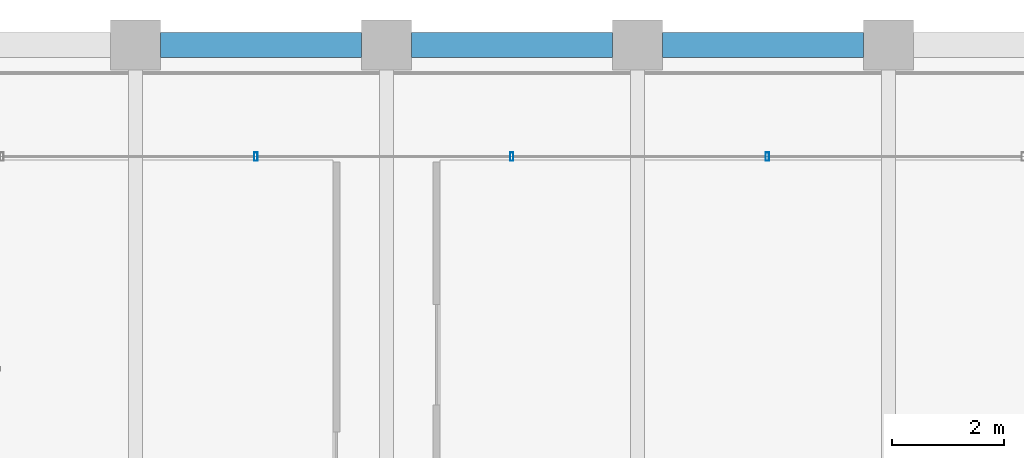
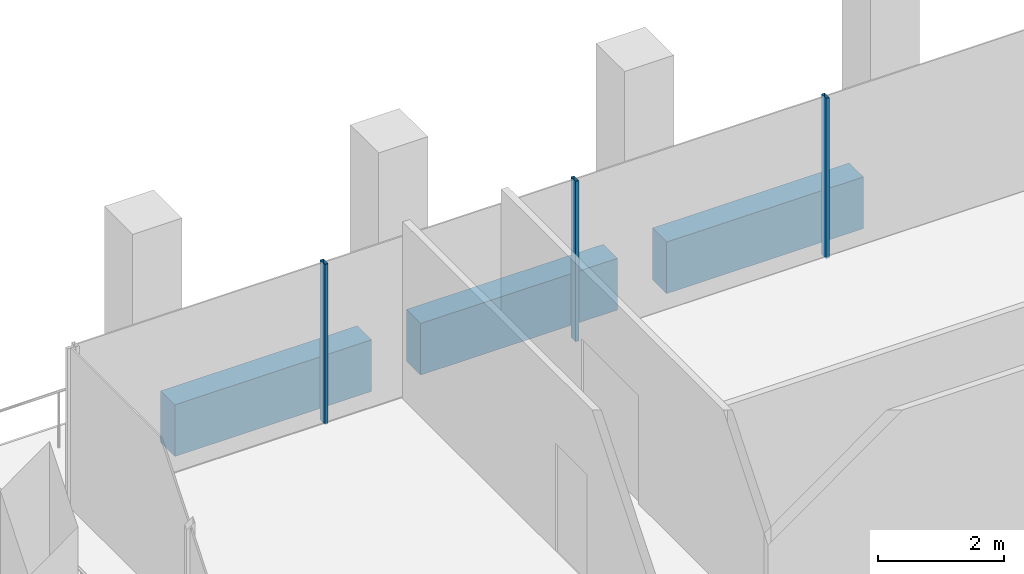
# One storey, part 23 of 40: 3 beams, 3 members, 1 element without a shape of its own.
"""IFC4 building model written with IfcOpenShell, lengths in metres."""

from ifc_helpers import new_model, si_unit, direction, frame, origin, origin_2d, place, context, subcontext, project, spatial, rectangle, hollow_rectangle, extrude, material, material_profile, profile_set, type_object, element, aggregate, save


model = new_model("IFC4")

# Units and contexts
model_context = context("Model", 3, precision=1e-05, world=origin(), true_north=direction((0.0, 1.0)))
body_context = subcontext(model_context, "Body", "Model", "MODEL_VIEW")
ifc_project = project(units=[si_unit("LENGTHUNIT", "METRE"), si_unit("AREAUNIT", "SQUARE_METRE"), si_unit("VOLUMEUNIT", "CUBIC_METRE"), si_unit("PLANEANGLEUNIT", "RADIAN"), si_unit("MASSUNIT", "GRAM", prefix="KILO")], contexts=[model_context])

# Site, building, storey
site_placement = place(None, origin())
site = spatial("IfcSite", under=ifc_project, at=site_placement, CompositionType="ELEMENT")
building_placement = place(site_placement, origin())
building = spatial("IfcBuilding", under=site, at=building_placement, Name="Altepetl Exchange Towers", CompositionType="ELEMENT")
storey_placement = place(building_placement, frame((0.0, 0.0, 176.199951171875)))
storey = spatial("IfcBuildingStorey", under=building, at=storey_placement, Name="L44", CompositionType="ELEMENT", Elevation=176.199951171875)

# Curtain wall, members
ifc_material_1 = material(Name="Aluminium 6063-T6 glazing", Category="aluminium")
curtain_wall_type = type_object("IfcCurtainWallType", Name="Loggia glazing system", PredefinedType="NOTDEFINED", material=ifc_material_1)
curtain_wall_placement = place(storey_placement, origin())
curtain_wall = element("IfcCurtainWall", 1, at=curtain_wall_placement, inside=storey, type_object=curtain_wall_type, Name="CW1 run", PredefinedType="NOTDEFINED")
ifc_material_2 = material(Name="Aluminium 6063-T6", Category="aluminium")
ifc_material_profile_1 = material_profile(ifc_material_2, hollow_rectangle(XDim=0.06005859375, YDim=0.14990234375, WallThickness=0.0029296875, at=origin_2d()), Name="Mullion 60x150 aluminium")
ifc_profile_set_1 = profile_set([ifc_material_profile_1], Name="Aluminium 6063-T6")
member_type = type_object("IfcMemberType", Name="Mullion 60x150 aluminium", PredefinedType="MULLION", material=ifc_profile_set_1)
member_1_placement = place(storey_placement, frame((56.330078125, 70.0, 0.0), z_axis=(0.0, 0.0, 1.0), x_axis=(-1.0, 0.0, 0.0)))
member_1 = element("IfcMember", 2, at=member_1_placement, type_object=member_type, Name="MU1 mullion", PredefinedType="MULLION", context=body_context, shape_type="SweptSolid", body=[
    extrude(hollow_rectangle(XDim=0.06005859375, YDim=0.14990234375, WallThickness=0.0029296875, at=origin_2d()), origin(), (0.0, 0.0, 1.0), 3.10009765625),
])
member_2_placement = place(storey_placement, frame((51.7451171875, 70.0, 0.0), z_axis=(0.0, 0.0, 1.0), x_axis=(-1.0, 0.0, 0.0)))
member_2 = element("IfcMember", 3, at=member_2_placement, type_object=member_type, Name="MU1 mullion", PredefinedType="MULLION", context=body_context, shape_type="SweptSolid", body=[
    extrude(hollow_rectangle(XDim=0.06005859375, YDim=0.14990234375, WallThickness=0.0029296875, at=origin_2d()), origin(), (0.0, 0.0, 1.0), 3.10009765625),
])
member_3_placement = place(storey_placement, frame((47.159912109375, 70.0, 0.0), z_axis=(0.0, 0.0, 1.0), x_axis=(-1.0, 0.0, 0.0)))
member_3 = element("IfcMember", 4, at=member_3_placement, type_object=member_type, Name="MU1 mullion", PredefinedType="MULLION", context=body_context, shape_type="SweptSolid", body=[
    extrude(hollow_rectangle(XDim=0.06005859375, YDim=0.14990234375, WallThickness=0.0029296875, at=origin_2d()), origin(), (0.0, 0.0, 1.0), 3.10009765625),
])
aggregate(curtain_wall, [member_1, member_2, member_3])

# Beams
ifc_material_3 = material(Name="Concrete C50/60 precast with cantera rosa facing", Category="concrete")
ifc_material_profile_2 = material_profile(ifc_material_3, rectangle(XDim=0.449951171875, YDim=1.0, at=origin_2d()), Name="450 x 1000")
ifc_profile_set_2 = profile_set([ifc_material_profile_2], Name="Concrete C50/60 precast with cantera rosa facing")
beam_type = type_object("IfcBeamType", Name="Spandrel beam 450x1000 cantera rosa", PredefinedType="SPANDREL", material=ifc_profile_set_2)
for number, where, z_axis, x_axis, name in (
    (5, (58.050048828125, 72.0, -0.64990234375), (-1.0, 0.0, 0.0), (0.0, -1.0, 0.0), "sp:A:L44:026"),
    (6, (53.550048828125, 72.0, -0.64990234375), (-1.0, 0.0, 0.0), (0.0, -1.0, 0.0), "sp:A:L44:027"),
    (7, (49.050048828125, 72.0, -0.64990234375), (-1.0, 0.0, 0.0), (0.0, -1.0, 0.0), "sp:A:L44:028"),
):
    element("IfcBeam", number, at=place(storey_placement, frame(where, z_axis=z_axis, x_axis=x_axis)), inside=storey, type_object=beam_type, Name=name, PredefinedType="SPANDREL", context=body_context, shape_type="SweptSolid", body=[
        extrude(rectangle(XDim=0.449951171875, YDim=1.0, at=origin_2d()), origin(), (0.0, 0.0, 1.0), 3.60009765625),
    ])

save(model, "model.ifc")
